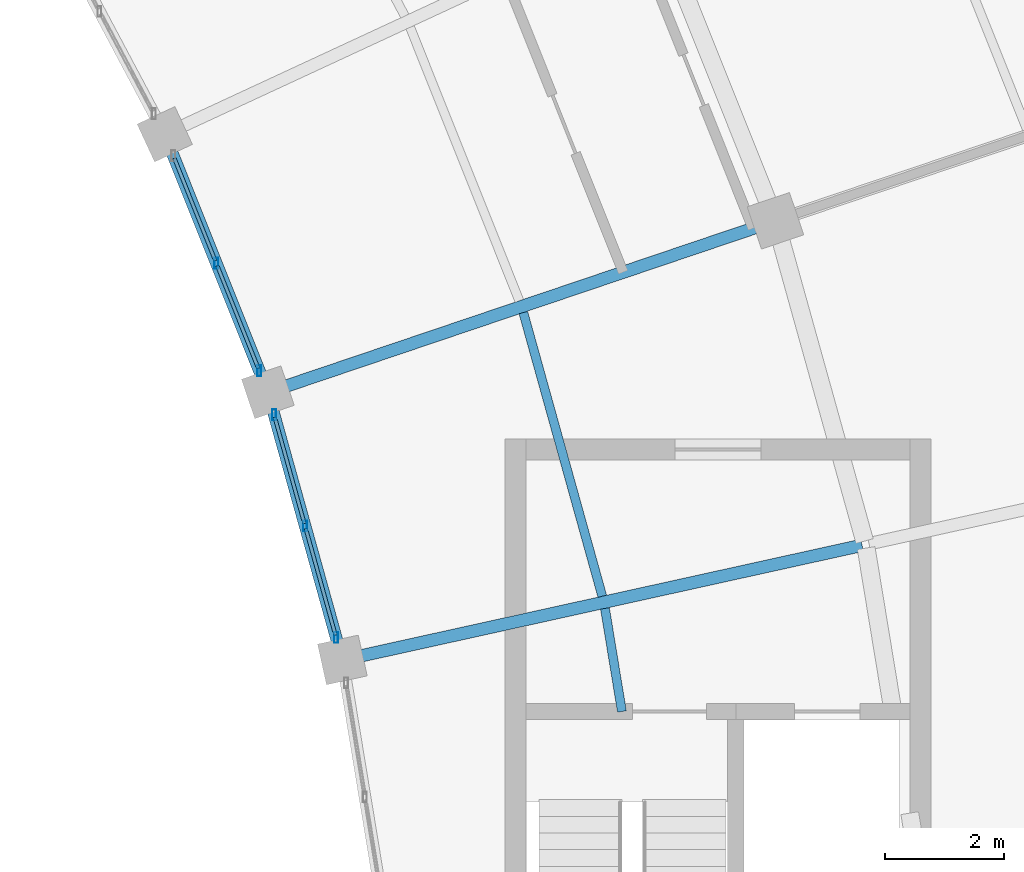
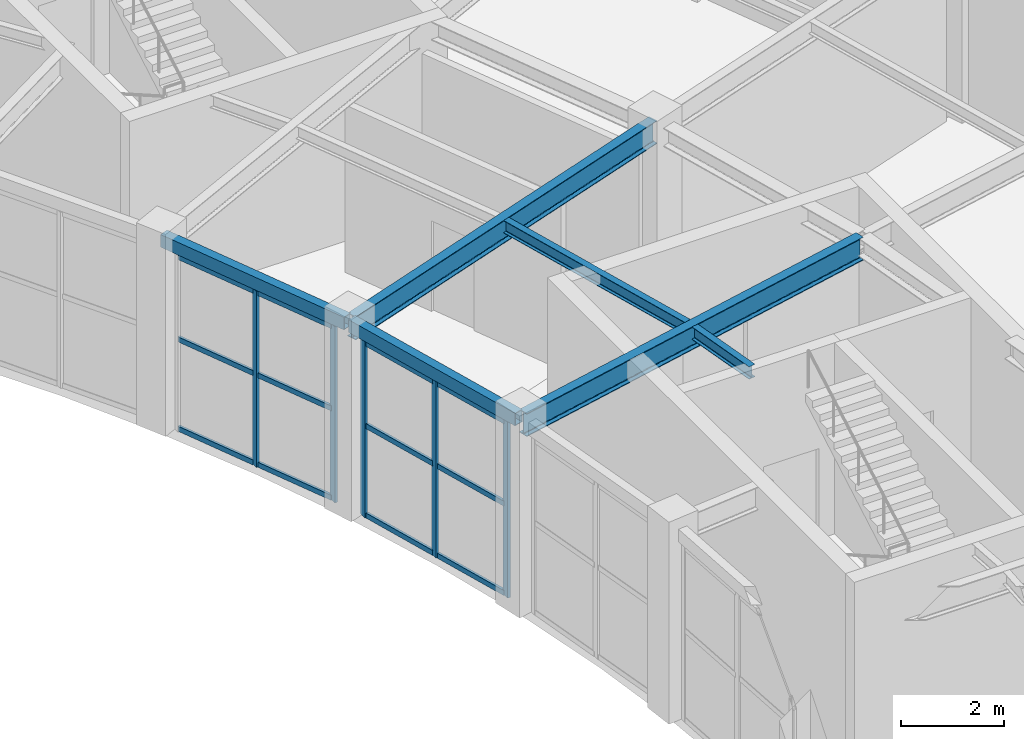
# One storey, part 60 of 100: 17 members, 6 beams, 2 elements without a shape of their own.
"""IFC4 building model written with IfcOpenShell, lengths in metres."""

from ifc_helpers import new_model, si_unit, direction, frame, origin, origin_2d, place, context, subcontext, project, spatial, hollow_rectangle, i_section, extrude, material, material_profile, profile_set, type_object, element, aggregate, save


model = new_model("IFC4")

# Units and contexts
model_context = context("Model", 3, precision=1e-05, world=origin(), true_north=direction((0.0, 1.0)))
body_context = subcontext(model_context, "Body", "Model", "MODEL_VIEW")
ifc_project = project(units=[si_unit("LENGTHUNIT", "METRE"), si_unit("AREAUNIT", "SQUARE_METRE"), si_unit("VOLUMEUNIT", "CUBIC_METRE"), si_unit("PLANEANGLEUNIT", "RADIAN"), si_unit("MASSUNIT", "GRAM", prefix="KILO")], contexts=[model_context])

# Site, building, storey
site_placement = place(None, origin())
site = spatial("IfcSite", under=ifc_project, at=site_placement, CompositionType="ELEMENT")
building_placement = place(site_placement, origin())
building = spatial("IfcBuilding", under=site, at=building_placement, Name="Tarnveldt Headland Concert Hall", CompositionType="ELEMENT")
storey_placement = place(building_placement, frame((0.0, 0.0, 4.800048828125)))
storey = spatial("IfcBuildingStorey", under=building, at=storey_placement, Name="L01", CompositionType="ELEMENT", Elevation=4.800048828125)

# Curtain wall, members
ifc_material_1 = material(Name="Marine-anodised aluminium EN AW-6063-T6", Category="aluminium")
curtain_wall_type = type_object("IfcCurtainWallType", Name="CW-C2", PredefinedType="NOTDEFINED", material=ifc_material_1)
curtain_wall_1_placement = place(storey_placement, origin())
curtain_wall_1 = element("IfcCurtainWall", 1, at=curtain_wall_1_placement, inside=storey, type_object=curtain_wall_type, Name="Curtain wall CW-L01-116", PredefinedType="NOTDEFINED")
ifc_material_profile_1 = material_profile(ifc_material_1, hollow_rectangle(XDim=0.06494140625, YDim=0.179931640625, WallThickness=0.00390625, at=origin_2d()), Name="ALU MULLION 65x180x4", Category="aluminium")
ifc_profile_set_1 = profile_set([ifc_material_profile_1], Name="Marine-anodised aluminium EN AW-6063-T6")
member_type_1 = type_object("IfcMemberType", Name="ML-180", PredefinedType="MULLION", material=ifc_profile_set_1)
member_1_placement = place(storey_placement, frame((159.385009765625, 69.641845703125, 0.0), z_axis=(0.0, 0.0, 1.0), x_axis=(1.0, 0.0, 0.0)))
member_1 = element("IfcMember", 2, at=member_1_placement, type_object=member_type_1, Name="Mullion CW-L01-116-1", PredefinedType="MULLION", context=body_context, shape_type="SweptSolid", body=[
    extrude(hollow_rectangle(XDim=0.06494140625, YDim=0.179931640625, WallThickness=0.00390625, at=origin_2d()), origin(), (0.0, 0.0, 1.0), 4.179931640625),
])
member_2_placement = place(storey_placement, frame((158.864013671875, 71.514404296875, 0.0), z_axis=(0.0, 0.0, 1.0), x_axis=(1.0, 0.0, 0.0)))
member_2 = element("IfcMember", 3, at=member_2_placement, type_object=member_type_1, Name="Mullion CW-L01-116-2", PredefinedType="MULLION", context=body_context, shape_type="SweptSolid", body=[
    extrude(hollow_rectangle(XDim=0.06494140625, YDim=0.179931640625, WallThickness=0.00390625, at=origin_2d()), origin(), (0.0, 0.0, 1.0), 4.179931640625),
])
member_3_placement = place(storey_placement, frame((158.3427734375, 73.386962890625, 0.0), z_axis=(0.0, 0.0, 1.0), x_axis=(1.0, 0.0, 0.0)))
member_3 = element("IfcMember", 4, at=member_3_placement, type_object=member_type_1, Name="Mullion CW-L01-116-3", PredefinedType="MULLION", context=body_context, shape_type="SweptSolid", body=[
    extrude(hollow_rectangle(XDim=0.06494140625, YDim=0.179931640625, WallThickness=0.00390625, at=origin_2d()), origin(), (0.0, 0.0, 1.0), 4.179931640625),
])

curtain_wall_2_placement = place(storey_placement, origin())
curtain_wall_2 = element("IfcCurtainWall", 5, at=curtain_wall_2_placement, inside=storey, type_object=curtain_wall_type, Name="Curtain wall CW-L01-117", PredefinedType="NOTDEFINED")
member_4_placement = place(storey_placement, frame((158.093505859375, 74.125, 0.0), z_axis=(0.0, 0.0, 1.0), x_axis=(1.0, 0.0, 0.0)))
member_4 = element("IfcMember", 6, at=member_4_placement, type_object=member_type_1, Name="Mullion CW-L01-117-1", PredefinedType="MULLION", context=body_context, shape_type="SweptSolid", body=[
    extrude(hollow_rectangle(XDim=0.06494140625, YDim=0.179931640625, WallThickness=0.00390625, at=origin_2d()), origin(), (0.0, 0.0, 1.0), 4.179931640625),
])
member_5_placement = place(storey_placement, frame((157.372314453125, 75.929931640625, 0.0), z_axis=(0.0, 0.0, 1.0), x_axis=(1.0, 0.0, 0.0)))
member_5 = element("IfcMember", 7, at=member_5_placement, type_object=member_type_1, Name="Mullion CW-L01-117-2", PredefinedType="MULLION", context=body_context, shape_type="SweptSolid", body=[
    extrude(hollow_rectangle(XDim=0.06494140625, YDim=0.179931640625, WallThickness=0.00390625, at=origin_2d()), origin(), (0.0, 0.0, 1.0), 4.179931640625),
])

# Beams
ifc_material_2 = material(Name="Steel S355", Category="steel")
ifc_material_profile_2 = material_profile(ifc_material_2, i_section(OverallWidth=0.14990234375, OverallDepth=0.300048828125, WebThickness=0.007080078125, FlangeThickness=0.0107421875, FilletRadius=0.014892578125, at=origin_2d()), Name="IPE300", Category="steel")
ifc_profile_set_2 = profile_set([ifc_material_profile_2], Name="Steel S355")
beam_type_1 = type_object("IfcBeamType", Name="SB-IPE300", PredefinedType="JOIST", material=ifc_profile_set_2)
beam_1_placement = place(storey_placement, frame((164.185791015625, 68.39990234375, 4.389892578125), z_axis=(-0.162278935667, 0.986744925013, 0.0), x_axis=(-0.986744925013, -0.162278935667, 0.0)))
element("IfcBeam", 8, at=beam_1_placement, inside=storey, type_object=beam_type_1, Name="Framing beam L01-811", PredefinedType="JOIST", context=body_context, shape_type="SweptSolid", body=[
    extrude(i_section(OverallWidth=0.14990234375, OverallDepth=0.300048828125, WebThickness=0.007080078125, FlangeThickness=0.0107421875, FilletRadius=0.014892578125, at=origin_2d()), origin(), (0.0, 0.0, 1.0), 1.755615234375),
])
beam_2_placement = place(storey_placement, frame((163.855712890625, 70.337158203125, 4.389892578125), z_axis=(-0.268142838284, 0.963379166412, 0.0), x_axis=(-0.963379166412, -0.268142838284, 0.0)))
element("IfcBeam", 9, at=beam_2_placement, inside=storey, type_object=beam_type_1, Name="Framing beam L01-818", PredefinedType="JOIST", context=body_context, shape_type="SweptSolid", body=[
    extrude(i_section(OverallWidth=0.14990234375, OverallDepth=0.300048828125, WebThickness=0.007080078125, FlangeThickness=0.0107421875, FilletRadius=0.014892578125, at=origin_2d()), origin(), (0.0, 0.0, 1.0), 4.94580078125),
])
ifc_material_profile_3 = material_profile(ifc_material_2, i_section(OverallWidth=0.2099609375, OverallDepth=0.550048828125, WebThickness=0.010986328125, FlangeThickness=0.01708984375, FilletRadius=0.02392578125, at=origin_2d()), Name="IPE550", Category="steel")
ifc_profile_set_3 = profile_set([ifc_material_profile_3], Name="Steel S355")
beam_type_2 = type_object("IfcBeamType", Name="SB-IPE550", PredefinedType="BEAM", material=ifc_profile_set_3)
beam_3_placement = place(storey_placement, frame((159.54833984375, 69.279052734375, 4.264892578125), z_axis=(0.976505569656, 0.215492163268, 0.0), x_axis=(-0.215492163268, 0.976505569656, 0.0)))
element("IfcBeam", 10, at=beam_3_placement, inside=storey, type_object=beam_type_2, Name="Framing beam L01-813", PredefinedType="BEAM", context=body_context, shape_type="SweptSolid", body=[
    extrude(i_section(OverallWidth=0.2099609375, OverallDepth=0.550048828125, WebThickness=0.010986328125, FlangeThickness=0.01708984375, FilletRadius=0.02392578125, at=origin_2d()), origin(), (0.0, 0.0, 1.0), 8.880126953125),
])
beam_4_placement = place(storey_placement, frame((158.294921875, 73.781982421875, 4.264892578125), z_axis=(0.947399878297, 0.320052293545, 0.0), x_axis=(-0.320052293545, 0.947399878297, 0.0)))
element("IfcBeam", 11, at=beam_4_placement, inside=storey, type_object=beam_type_2, Name="Framing beam L01-820", PredefinedType="BEAM", context=body_context, shape_type="SweptSolid", body=[
    extrude(i_section(OverallWidth=0.2099609375, OverallDepth=0.550048828125, WebThickness=0.010986328125, FlangeThickness=0.01708984375, FilletRadius=0.02392578125, at=origin_2d()), origin(), (0.0, 0.0, 1.0), 8.8798828125),
])
ifc_material_profile_4 = material_profile(ifc_material_2, hollow_rectangle(XDim=0.199951171875, YDim=0.300048828125, WallThickness=0.012451171875, at=origin_2d()), Name="RHS 300x200x12.5", Category="steel")
ifc_profile_set_4 = profile_set([ifc_material_profile_4], Name="Steel S355")
beam_type_3 = type_object("IfcBeamType", Name="SB-RHS300", PredefinedType="SPANDREL", material=ifc_profile_set_4)
for number, where, z_axis, x_axis, name in (
    (12, (159.4736328125, 69.323974609375, 4.389892578125), (-0.268169932327, 0.963371624761, 0.0), (-0.963371624761, -0.268169932327, 0.0), "Framing beam L01-815"),
    (13, (158.2158203125, 73.818359375, 4.389892578125), (-0.370983353144, 0.928639516546, 0.0), (-0.928639516546, -0.370983353144, 0.0), "Framing beam L01-822"),
):
    element("IfcBeam", number, at=place(storey_placement, frame(where, z_axis=z_axis, x_axis=x_axis)), inside=storey, type_object=beam_type_3, Name=name, PredefinedType="SPANDREL", context=body_context, shape_type="SweptSolid", body=[
        extrude(hollow_rectangle(XDim=0.199951171875, YDim=0.300048828125, WallThickness=0.012451171875, at=origin_2d()), origin(), (0.0, 0.0, 1.0), 4.54736328125),
    ])

# Member
ifc_material_profile_5 = material_profile(ifc_material_1, hollow_rectangle(XDim=0.06005859375, YDim=0.1201171875, WallThickness=0.00390625, at=origin_2d()), Name="ALU TRANSOM 60x120x4", Category="aluminium")
ifc_profile_set_5 = profile_set([ifc_material_profile_5], Name="Marine-anodised aluminium EN AW-6063-T6")
member_type_2 = type_object("IfcMemberType", Name="TR-110", PredefinedType="MEMBER", material=ifc_profile_set_5)
member_6_placement = place(storey_placement, frame((159.373291015625, 69.684814453125, 0.050048828125), z_axis=(-0.268247995403, 0.963349891245, 0.0), x_axis=(-0.963349891245, -0.268247995403, 0.0)))
member_6 = element("IfcMember", 14, at=member_6_placement, type_object=member_type_2, Name="Transom CW-L01-116-1-1", PredefinedType="MEMBER", context=body_context, shape_type="SweptSolid", body=[
    extrude(hollow_rectangle(XDim=0.06005859375, YDim=0.1201171875, WallThickness=0.00390625, at=origin_2d()), origin(), (0.0, 0.0, 1.0), 1.854736328125),
])

member_7_placement = place(storey_placement, frame((159.373291015625, 69.684814453125, 2.173583984375), z_axis=(-0.268247995403, 0.963349891245, 0.0), x_axis=(-0.963349891245, -0.268247995403, 0.0)))
member_7 = element("IfcMember", 15, at=member_7_placement, type_object=member_type_2, Name="Transom CW-L01-116-1-2", PredefinedType="MEMBER", context=body_context, shape_type="SweptSolid", body=[
    extrude(hollow_rectangle(XDim=0.06005859375, YDim=0.1201171875, WallThickness=0.00390625, at=origin_2d()), origin(), (0.0, 0.0, 1.0), 1.854736328125),
])

member_8_placement = place(storey_placement, frame((159.373291015625, 69.684814453125, 4.1298828125), z_axis=(-0.268247995403, 0.963349891245, 0.0), x_axis=(-0.963349891245, -0.268247995403, 0.0)))
member_8 = element("IfcMember", 16, at=member_8_placement, type_object=member_type_2, Name="Transom CW-L01-116-1-3", PredefinedType="MEMBER", context=body_context, shape_type="SweptSolid", body=[
    extrude(hollow_rectangle(XDim=0.06005859375, YDim=0.1201171875, WallThickness=0.00390625, at=origin_2d()), origin(), (0.0, 0.0, 1.0), 1.854736328125),
])

member_9_placement = place(storey_placement, frame((158.85205078125, 71.557373046875, 0.050048828125), z_axis=(-0.268282013169, 0.963340418238, 0.0), x_axis=(-0.963340418238, -0.268282013169, 0.0)))
member_9 = element("IfcMember", 17, at=member_9_placement, type_object=member_type_2, Name="Transom CW-L01-116-2-1", PredefinedType="MEMBER", context=body_context, shape_type="SweptSolid", body=[
    extrude(hollow_rectangle(XDim=0.06005859375, YDim=0.1201171875, WallThickness=0.00390625, at=origin_2d()), origin(), (0.0, 0.0, 1.0), 1.8544921875),
])

member_10_placement = place(storey_placement, frame((158.85205078125, 71.557373046875, 2.173583984375), z_axis=(-0.268282013169, 0.963340418238, 0.0), x_axis=(-0.963340418238, -0.268282013169, 0.0)))
member_10 = element("IfcMember", 18, at=member_10_placement, type_object=member_type_2, Name="Transom CW-L01-116-2-2", PredefinedType="MEMBER", context=body_context, shape_type="SweptSolid", body=[
    extrude(hollow_rectangle(XDim=0.06005859375, YDim=0.1201171875, WallThickness=0.00390625, at=origin_2d()), origin(), (0.0, 0.0, 1.0), 1.8544921875),
])

member_11_placement = place(storey_placement, frame((158.85205078125, 71.557373046875, 4.1298828125), z_axis=(-0.268282013169, 0.963340418238, 0.0), x_axis=(-0.963340418238, -0.268282013169, 0.0)))
member_11 = element("IfcMember", 19, at=member_11_placement, type_object=member_type_2, Name="Transom CW-L01-116-2-3", PredefinedType="MEMBER", context=body_context, shape_type="SweptSolid", body=[
    extrude(hollow_rectangle(XDim=0.06005859375, YDim=0.1201171875, WallThickness=0.00390625, at=origin_2d()), origin(), (0.0, 0.0, 1.0), 1.8544921875),
])

aggregate(curtain_wall_1, [member_1, member_2, member_3, member_6, member_7, member_8, member_9, member_10, member_11])

member_12_placement = place(storey_placement, frame((158.076904296875, 74.166259765625, 0.050048828125), z_axis=(-0.370982079825, 0.928640025225, 0.0), x_axis=(-0.928640025225, -0.370982079825, 0.0)))
member_12 = element("IfcMember", 20, at=member_12_placement, type_object=member_type_2, Name="Transom CW-L01-117-1-1", PredefinedType="MEMBER", context=body_context, shape_type="SweptSolid", body=[
    extrude(hollow_rectangle(XDim=0.06005859375, YDim=0.1201171875, WallThickness=0.00390625, at=origin_2d()), origin(), (0.0, 0.0, 1.0), 1.8544921875),
])

member_13_placement = place(storey_placement, frame((158.076904296875, 74.166259765625, 2.173583984375), z_axis=(-0.370982079825, 0.928640025225, 0.0), x_axis=(-0.928640025225, -0.370982079825, 0.0)))
member_13 = element("IfcMember", 21, at=member_13_placement, type_object=member_type_2, Name="Transom CW-L01-117-1-2", PredefinedType="MEMBER", context=body_context, shape_type="SweptSolid", body=[
    extrude(hollow_rectangle(XDim=0.06005859375, YDim=0.1201171875, WallThickness=0.00390625, at=origin_2d()), origin(), (0.0, 0.0, 1.0), 1.8544921875),
])

member_14_placement = place(storey_placement, frame((158.076904296875, 74.166259765625, 4.1298828125), z_axis=(-0.370982079825, 0.928640025225, 0.0), x_axis=(-0.928640025225, -0.370982079825, 0.0)))
member_14 = element("IfcMember", 22, at=member_14_placement, type_object=member_type_2, Name="Transom CW-L01-117-1-3", PredefinedType="MEMBER", context=body_context, shape_type="SweptSolid", body=[
    extrude(hollow_rectangle(XDim=0.06005859375, YDim=0.1201171875, WallThickness=0.00390625, at=origin_2d()), origin(), (0.0, 0.0, 1.0), 1.8544921875),
])

member_15_placement = place(storey_placement, frame((157.355712890625, 75.97119140625, 0.050048828125), z_axis=(-0.371050242491, 0.928612792044, 0.0), x_axis=(-0.928612792044, -0.371050242491, 0.0)))
member_15 = element("IfcMember", 23, at=member_15_placement, type_object=member_type_2, Name="Transom CW-L01-117-2-1", PredefinedType="MEMBER", context=body_context, shape_type="SweptSolid", body=[
    extrude(hollow_rectangle(XDim=0.06005859375, YDim=0.1201171875, WallThickness=0.00390625, at=origin_2d()), origin(), (0.0, 0.0, 1.0), 1.854736328125),
])

member_16_placement = place(storey_placement, frame((157.355712890625, 75.97119140625, 2.173583984375), z_axis=(-0.371050242491, 0.928612792044, 0.0), x_axis=(-0.928612792044, -0.371050242491, 0.0)))
member_16 = element("IfcMember", 24, at=member_16_placement, type_object=member_type_2, Name="Transom CW-L01-117-2-2", PredefinedType="MEMBER", context=body_context, shape_type="SweptSolid", body=[
    extrude(hollow_rectangle(XDim=0.06005859375, YDim=0.1201171875, WallThickness=0.00390625, at=origin_2d()), origin(), (0.0, 0.0, 1.0), 1.854736328125),
])

member_17_placement = place(storey_placement, frame((157.355712890625, 75.97119140625, 4.1298828125), z_axis=(-0.371050242491, 0.928612792044, 0.0), x_axis=(-0.928612792044, -0.371050242491, 0.0)))
member_17 = element("IfcMember", 25, at=member_17_placement, type_object=member_type_2, Name="Transom CW-L01-117-2-3", PredefinedType="MEMBER", context=body_context, shape_type="SweptSolid", body=[
    extrude(hollow_rectangle(XDim=0.06005859375, YDim=0.1201171875, WallThickness=0.00390625, at=origin_2d()), origin(), (0.0, 0.0, 1.0), 1.854736328125),
])

aggregate(curtain_wall_2, [member_4, member_5, member_12, member_13, member_14, member_15, member_16, member_17])

save(model, "model.ifc")
